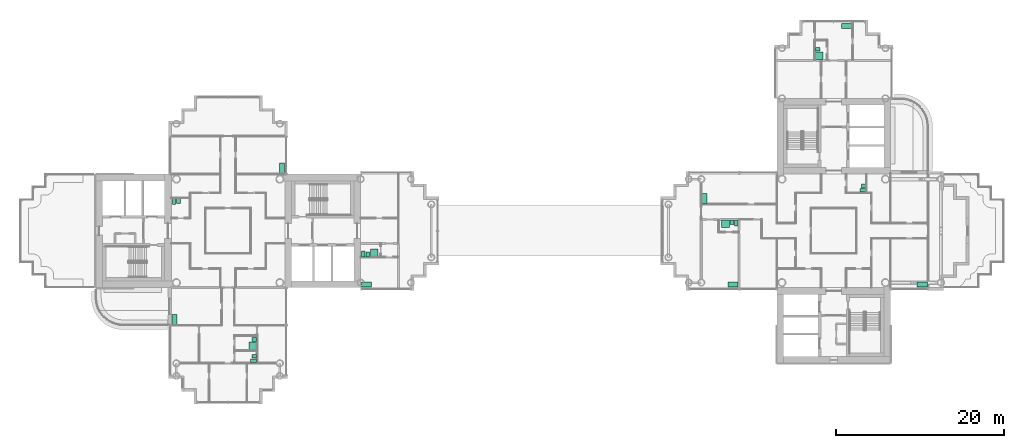
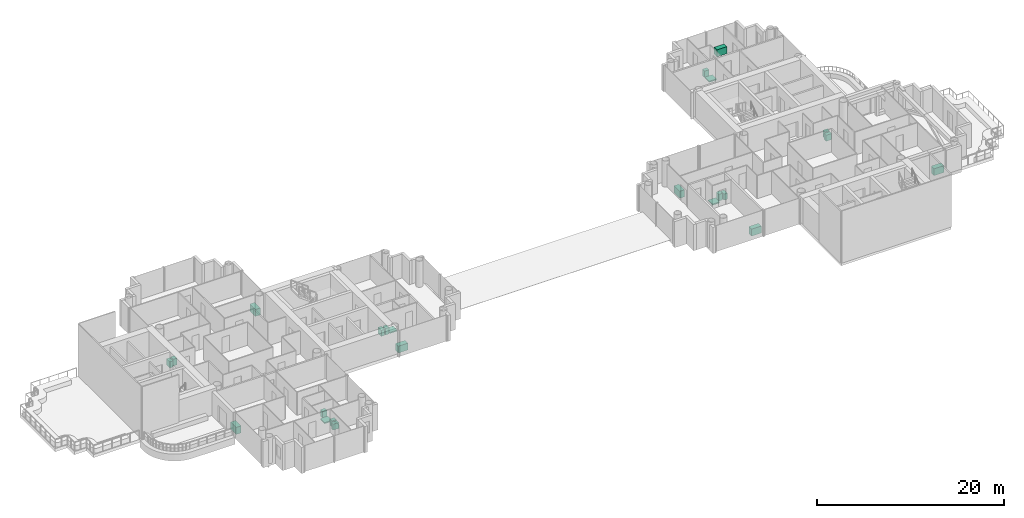
# One storey, part 19 of 19: 23 sanitary terminals.
"""IFC4 building model written with IfcOpenShell, lengths in metres."""

from ifc_helpers import new_model, si_unit, direction, frame, origin, origin_2d, place, context, subcontext, project, spatial, rectangle, extrude, material, type_object, element, save


model = new_model("IFC4")

# Units and contexts
model_context = context("Model", 3, precision=1e-05, world=origin(), true_north=direction((0.0, 1.0)))
body_context = subcontext(model_context, "Body", "Model", "MODEL_VIEW")
ifc_project = project(units=[si_unit("LENGTHUNIT", "METRE"), si_unit("AREAUNIT", "SQUARE_METRE"), si_unit("VOLUMEUNIT", "CUBIC_METRE"), si_unit("PLANEANGLEUNIT", "RADIAN"), si_unit("MASSUNIT", "GRAM", prefix="KILO")], contexts=[model_context])

# Site, building, storey
site_placement = place(None, origin())
site = spatial("IfcSite", under=ifc_project, at=site_placement, CompositionType="ELEMENT")
building_placement = place(site_placement, origin())
building = spatial("IfcBuilding", under=site, at=building_placement, Name="Ipe Terrace Towers", CompositionType="ELEMENT")
storey_placement = place(building_placement, frame((0.0, 0.0, 133.699951171875)))
storey = spatial("IfcBuildingStorey", under=building, at=storey_placement, Name="L36", CompositionType="ELEMENT", Elevation=133.699951171875)

# Sanitary terminals
ifc_material_1 = material(Name="Stainless sink unit", Category="metal")
sanitary_terminal_type_1 = type_object("IfcSanitaryTerminalType", Name="Kitchen sink unit", PredefinedType="SINK", material=ifc_material_1)
for number, where, z_axis, x_axis, name in (
    (1, (-29.6201171875, 7.469970703125, 0.0), (0.0, 0.0, 1.0), (0.0, -1.0, 0.0), "Kitchen sink unit"),
    (2, (-42.3798828125, -10.530029296875, 0.0), (0.0, 0.0, 1.0), (0.0, 1.0, 0.0), "Kitchen sink unit"),
    (3, (-19.530029296875, -6.3798828125, 0.0), (0.0, 0.0, 1.0), (-1.0, 0.0, 0.0), "Kitchen sink unit"),
    (4, (24.030029296875, -6.3798828125, 0.0), (0.0, 0.0, 1.0), (-1.0, 0.0, 0.0), "Kitchen sink unit"),
    (5, (20.6201171875, 3.8701171875, 0.0), (0.0, 0.0, 1.0), (0.0, 1.0, 0.0), "Kitchen sink unit"),
    (6, (46.530029296875, -6.3798828125, 0.0), (0.0, 0.0, 1.0), (-1.0, 0.0, 0.0), "Kitchen sink unit"),
    (7, (37.530029296875, 24.3798828125, 0.0), (0.0, 0.0, 1.0), (1.0, 0.0, 0.0), "Kitchen sink unit"),
):
    element("IfcSanitaryTerminal", number, at=place(storey_placement, frame(where, z_axis=z_axis, x_axis=x_axis)), inside=storey, type_object=sanitary_terminal_type_1, Name=name, PredefinedType="SINK", context=body_context, shape_type="SweptSolid", body=[
        extrude(rectangle(XDim=1.199951171875, YDim=0.60009765625, at=origin_2d()), origin(), (0.0, 0.0, 1.0), 0.89990234375),
    ])
ifc_material_2 = material(Name="Acrylic", Category="plastic")
sanitary_terminal_type_2 = type_object("IfcSanitaryTerminalType", Name="Shower tray", PredefinedType="SHOWER", material=ifc_material_2)
for number, where, z_axis, x_axis, name in (
    (8, (-33.070068359375, -13.679931640625, 0.0), (0.0, 0.0, 1.0), (-1.0, 0.0, 0.0), "Shower tray"),
    (9, (-18.6298828125, -2.6298828125, 0.0), (0.0, 0.0, 1.0), (0.0, 1.0, 0.0), "Shower tray"),
    (10, (23.1298828125, 0.830078125, 0.0), (0.0, 0.0, 1.0), (0.0, -1.0, 0.0), "Shower tray"),
    (11, (34.27001953125, 20.820068359375, 0.0), (0.0, 0.0, 1.0), (1.0, 0.0, 0.0), "Shower tray"),
):
    element("IfcSanitaryTerminal", number, at=place(storey_placement, frame(where, z_axis=z_axis, x_axis=x_axis)), inside=storey, type_object=sanitary_terminal_type_2, Name=name, PredefinedType="SHOWER", context=body_context, shape_type="SweptSolid", body=[
        extrude(rectangle(XDim=0.89990234375, YDim=0.89990234375, at=origin_2d()), origin(), (0.0, 0.0, 1.0), 0.14990234375),
    ])
ifc_material_3 = material(Name="Vitreous china", Category="ceramic")
sanitary_terminal_type_3 = type_object("IfcSanitaryTerminalType", Name="Wash basin", PredefinedType="WASHHANDBASIN", material=ifc_material_3)
for number, where, z_axis, x_axis, name in (
    (12, (-41.905029296875, 3.554931640625, 0.0), (0.0, 0.0, 1.0), (0.0, -1.0, 0.0), "Wash basin"),
    (13, (-32.89501953125, -12.905029296875, 0.0), (0.0, 0.0, 1.0), (-1.0, 0.0, 0.0), "Wash basin"),
    (14, (-32.89501953125, -14.905029296875, 0.0), (0.0, 0.0, 1.0), (-1.0, 0.0, 0.0), "Wash basin"),
    (15, (-19.405029296875, -2.804931640625, 0.0), (0.0, 0.0, 1.0), (0.0, 1.0, 0.0), "Wash basin"),
    (16, (39.554931640625, 5.344970703125, 0.0), (0.0, 0.0, 1.0), (-1.0, 0.0, 0.0), "Wash basin"),
    (17, (23.905029296875, 1.0048828125, 0.0), (0.0, 0.0, 1.0), (0.0, -1.0, 0.0), "Wash basin"),
    (18, (34.094970703125, 21.594970703125, 0.0), (0.0, 0.0, 1.0), (1.0, 0.0, 0.0), "Wash basin"),
):
    element("IfcSanitaryTerminal", number, at=place(storey_placement, frame(where, z_axis=z_axis, x_axis=x_axis)), inside=storey, type_object=sanitary_terminal_type_3, Name=name, PredefinedType="WASHHANDBASIN", context=body_context, shape_type="SweptSolid", body=[
        extrude(rectangle(XDim=0.550048828125, YDim=0.449951171875, at=origin_2d()), origin(), (0.0, 0.0, 1.0), 0.85009765625),
    ])
ifc_material_4 = material(Name="Vitreous china", Category="ceramic")
sanitary_terminal_type_4 = type_object("IfcSanitaryTerminalType", Name="Water closet", PredefinedType="TOILETPAN", material=ifc_material_4)
for number, where, z_axis, x_axis, name in (
    (19, (-42.429931640625, 3.47998046875, 0.0), (0.0, 0.0, 1.0), (0.0, -1.0, 0.0), "Water closet"),
    (20, (-32.969970703125, -15.429931640625, 0.0), (0.0, 0.0, 1.0), (-1.0, 0.0, 0.0), "Water closet"),
    (21, (-19.929931640625, -2.72998046875, 0.0), (0.0, 0.0, 1.0), (0.0, 1.0, 0.0), "Water closet"),
    (22, (39.47998046875, 4.820068359375, 0.0), (0.0, 0.0, 1.0), (-1.0, 0.0, 0.0), "Water closet"),
    (23, (24.429931640625, 0.929931640625, 0.0), (0.0, 0.0, 1.0), (0.0, -1.0, 0.0), "Water closet"),
):
    element("IfcSanitaryTerminal", number, at=place(storey_placement, frame(where, z_axis=z_axis, x_axis=x_axis)), inside=storey, type_object=sanitary_terminal_type_4, Name=name, PredefinedType="TOILETPAN", context=body_context, shape_type="SweptSolid", body=[
        extrude(rectangle(XDim=0.699951171875, YDim=0.39990234375, at=origin_2d()), origin(), (0.0, 0.0, 1.0), 0.780029296875),
    ])

save(model, "model.ifc")
